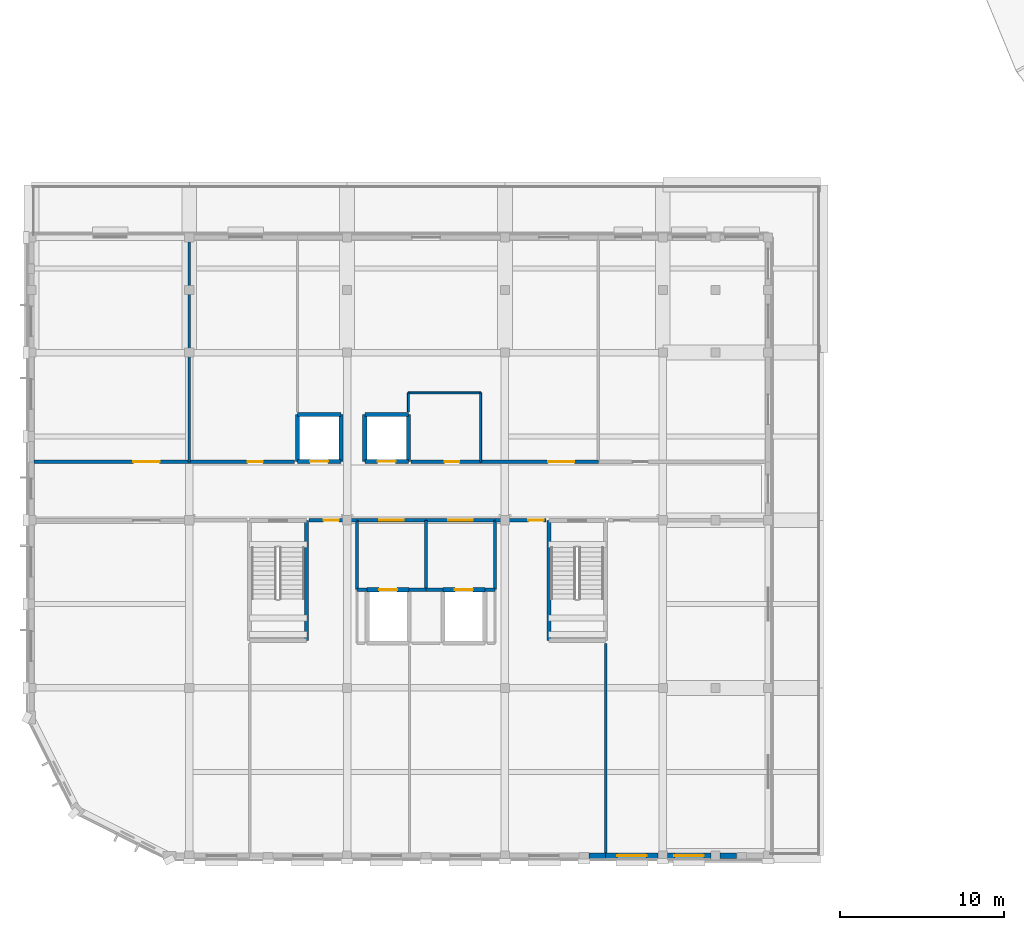
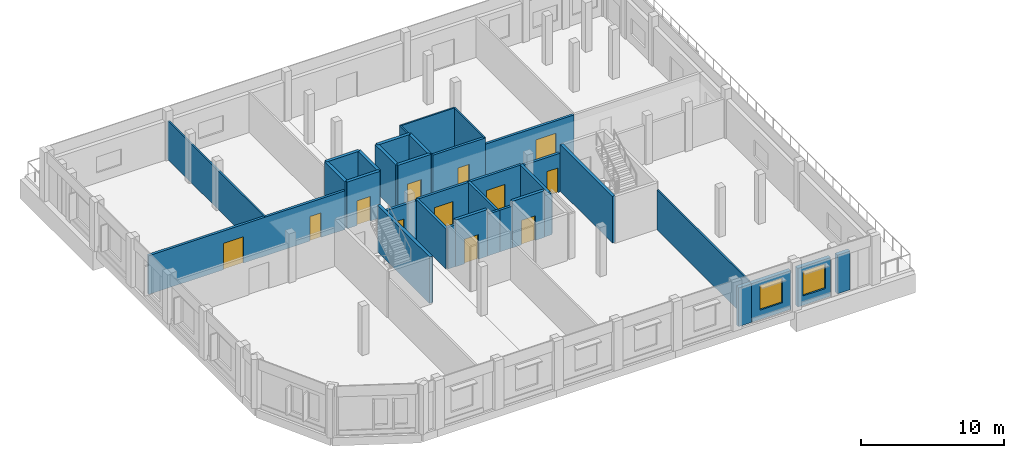
# One storey, part 60 of 70: 35 walls, 12 doors, 2 windows, 14 openings.
"""IFC4 building model written with IfcOpenShell, lengths in metres."""

from ifc_helpers import new_model, si_unit, direction, frame, frame_2d, origin, place, context, subcontext, project, spatial, rectangle, extrude, material, layer, layer_set, type_object, element, fill, save


model = new_model("IFC4")

# Units and contexts
model_context = context("Model", 3, precision=1e-05, world=origin(), true_north=direction((0.0, 1.0)))
body_context = subcontext(model_context, "Body", "Model", "MODEL_VIEW")
ifc_project = project(units=[si_unit("LENGTHUNIT", "METRE"), si_unit("AREAUNIT", "SQUARE_METRE"), si_unit("VOLUMEUNIT", "CUBIC_METRE"), si_unit("PLANEANGLEUNIT", "RADIAN"), si_unit("MASSUNIT", "GRAM", prefix="KILO")], contexts=[model_context])

# Site, building, storey
site_placement = place(None, origin())
site = spatial("IfcSite", under=ifc_project, at=site_placement, CompositionType="ELEMENT")
building_placement = place(site_placement, origin())
building = spatial("IfcBuilding", under=site, at=building_placement, Name="Vondelvale Polytechnic", CompositionType="ELEMENT")
storey_placement = place(building_placement, frame((0.0, 0.0, 22.199951171875)))
storey = spatial("IfcBuildingStorey", under=building, at=storey_placement, Name="L05", CompositionType="ELEMENT", Elevation=22.199951171875)

# Wall
ifc_material_1 = material(Name="Amsterdam School iron-spot clinker clay brickwork", Category="masonry")
ifc_layer_1 = layer(ifc_material_1, 0.320068359375)
ifc_layer_set_1 = layer_set([ifc_layer_1], Name="WL-BRICK-320")
wall_type_1 = type_object("IfcWallType", Name="WL-BRICK-320", PredefinedType="SOLIDWALL", material=ifc_layer_set_1)
wall_1_placement = place(storey_placement, frame((34.925048828125, 0.0, 0.0), z_axis=(0.0, 0.0, 1.0), x_axis=(-1.0, 0.0, 0.0)))
element("IfcWall", 1, at=wall_1_placement, inside=storey, type_object=wall_type_1, Name="L05 exterior masonry facade wall", PredefinedType="SOLIDWALL", context=body_context, shape_type="SweptSolid", body=[
    extrude(rectangle(XDim=1.024169921875, YDim=0.320068359375, at=frame_2d((0.51220703125, 0.0))), origin(), (0.0, 0.0, 1.0), 3.300048828125),
])

# Wall, opening, window
wall_2_placement = place(storey_placement, frame((38.1240234375, 0.0, 0.0), z_axis=(0.0, 0.0, 1.0), x_axis=(-1.0, 0.0, 0.0)))
wall_2 = element("IfcWall", 2, at=wall_2_placement, inside=storey, type_object=wall_type_1, Name="L05 exterior masonry facade wall", PredefinedType="SOLIDWALL", context=body_context, shape_type="SweptSolid", body=[
    extrude(rectangle(XDim=3.198974609375, YDim=0.320068359375, at=frame_2d((1.599609375, 0.0))), origin(), (0.0, 0.0, 1.0), 3.300048828125),
])
opening_1_placement = place(wall_2_placement, frame((0.699462890625, 0.0, 0.800048828125)))
opening_1 = element("IfcOpeningElement", 3, at=opening_1_placement, cuts=wall_2, Name="Opening WN-0261", PredefinedType="OPENING", context=body_context, shape_type="SweptSolid", body=[
    extrude(rectangle(XDim=1.800048828125, YDim=2.10009765625, at=frame_2d((0.89990234375, 1.050048828125))), frame((0.0, 0.169921875, 0.0), z_axis=(0.0, -1.0, 0.0), x_axis=(1.0, 0.0, 0.0)), (0.0, 0.0, 1.0), 0.340087890625),
])
ifc_material_2 = material(Name="Double-glazed low-E insulated architectural glass", Category="glass")
window_type = type_object("IfcWindowType", Name="WN-LAB-1800x2100", PartitioningType="SINGLE_PANEL", PredefinedType="WINDOW", material=ifc_material_2)
window_1_placement = place(opening_1_placement, origin())
window_1 = element("IfcWindow", 4, at=window_1_placement, inside=storey, type_object=window_type, Name="L05 double-glazed architectural window WN-0261", OverallHeight=2.10009765625, OverallWidth=1.800048828125, PartitioningType="SINGLE_PANEL", PredefinedType="WINDOW", context=body_context, shape_type="SweptSolid", body=[
    extrude(rectangle(XDim=1.800048828125, YDim=2.10009765625, at=frame_2d((0.89990234375, 1.050048828125))), frame((0.0, 0.030029296875, 0.0), z_axis=(0.0, -1.0, 0.0), x_axis=(1.0, 0.0, 0.0)), (0.0, 0.0, 1.0), 0.06005859375),
])
fill(opening_1, window_1)

# Wall
wall_3_placement = place(storey_placement, frame((42.89892578125, 0.0, 0.0), z_axis=(0.0, 0.0, 1.0), x_axis=(-1.0, 0.0, 0.0)))
element("IfcWall", 5, at=wall_3_placement, inside=storey, type_object=wall_type_1, Name="L05 exterior masonry facade wall", PredefinedType="SOLIDWALL", context=body_context, shape_type="SweptSolid", body=[
    extrude(rectangle(XDim=1.02294921875, YDim=0.320068359375, at=frame_2d((0.511474609375, 0.0))), origin(), (0.0, 0.0, 1.0), 3.300048828125),
])

# Wall, opening, window
wall_4_placement = place(storey_placement, frame((41.323974609375, 0.0, 0.0), z_axis=(0.0, 0.0, 1.0), x_axis=(-1.0, 0.0, 0.0)))
wall_4 = element("IfcWall", 6, at=wall_4_placement, inside=storey, type_object=wall_type_1, Name="L05 exterior masonry facade wall", PredefinedType="SOLIDWALL", context=body_context, shape_type="SweptSolid", body=[
    extrude(rectangle(XDim=2.64794921875, YDim=0.320068359375, at=frame_2d((1.323974609375, 0.0))), origin(), (0.0, 0.0, 1.0), 3.300048828125),
])
opening_2_placement = place(wall_4_placement, frame((0.424072265625, 0.0, 0.800048828125)))
opening_2 = element("IfcOpeningElement", 7, at=opening_2_placement, cuts=wall_4, Name="Opening WN-0262", PredefinedType="OPENING", context=body_context, shape_type="SweptSolid", body=[
    extrude(rectangle(XDim=1.800048828125, YDim=2.10009765625, at=frame_2d((0.89990234375, 1.050048828125))), frame((0.0, 0.169921875, 0.0), z_axis=(0.0, -1.0, 0.0), x_axis=(1.0, 0.0, 0.0)), (0.0, 0.0, 1.0), 0.340087890625),
])
window_2_placement = place(opening_2_placement, origin())
window_2 = element("IfcWindow", 8, at=window_2_placement, inside=storey, type_object=window_type, Name="L05 double-glazed architectural window WN-0262", OverallHeight=2.10009765625, OverallWidth=1.800048828125, PartitioningType="SINGLE_PANEL", PredefinedType="WINDOW", context=body_context, shape_type="SweptSolid", body=[
    extrude(rectangle(XDim=1.800048828125, YDim=2.10009765625, at=frame_2d((0.89990234375, 1.050048828125))), frame((0.0, 0.030029296875, 0.0), z_axis=(0.0, -1.0, 0.0), x_axis=(1.0, 0.0, 0.0)), (0.0, 0.0, 1.0), 0.06005859375),
])
fill(opening_2, window_2)

# Walls
ifc_material_3 = material(Name="Concrete N40 (f'c = 40 MPa)", Category="concrete")
ifc_layer_2 = layer(ifc_material_3, 0.25)
ifc_layer_set_2 = layer_set([ifc_layer_2], Name="WL-CORE-250")
wall_type_2 = type_object("IfcWallType", Name="WL-CORE-250", PredefinedType="SOLIDWALL", material=ifc_layer_set_2)
for number, where, z_axis, x_axis, name in (
    (9, (16.72509765625, 13.074951171875, 0.0), (0.0, 0.0, 1.0), (0.0, 1.0, 0.0), "L05 ST-03 reinforced concrete stair core wall"),
    (10, (31.47509765625, 20.375, 0.0), (0.0, 0.0, 1.0), (0.0, -1.0, 0.0), "L05 ST-04 reinforced concrete stair core wall"),
):
    element("IfcWall", number, at=place(storey_placement, frame(where, z_axis=z_axis, x_axis=x_axis)), inside=storey, type_object=wall_type_2, Name=name, PredefinedType="SOLIDWALL", context=body_context, shape_type="SweptSolid", body=[
        extrude(rectangle(XDim=7.300048828125, YDim=0.25, at=frame_2d((3.64990234375, 0.0))), origin(), (0.0, 0.0, 1.0), 3.97509765625),
    ])

# Wall, opening, door
ifc_material_4 = material(Name="Fire-rated double-layer plasterboard stud partition")
ifc_layer_3 = layer(ifc_material_4, 0.199951171875)
ifc_layer_set_3 = layer_set([ifc_layer_3], Name="WL-CORR-200")
wall_type_3 = type_object("IfcWallType", Name="WL-CORR-200", PredefinedType="PARTITIONING", material=ifc_layer_set_3)
wall_5_placement = place(storey_placement, frame((19.800048828125, 20.39990234375, 0.0), z_axis=(0.0, 0.0, 1.0), x_axis=(1.0, 0.0, 0.0)))
wall_5 = element("IfcWall", 11, at=wall_5_placement, inside=storey, type_object=wall_type_3, Name="L05 EL-01 fire-isolated lift lobby wall", PredefinedType="PARTITIONING", context=body_context, shape_type="SweptSolid", body=[
    extrude(rectangle(XDim=4.199951171875, YDim=0.199951171875, at=frame_2d((2.10009765625, 0.0))), origin(), (0.0, 0.0, 1.0), 3.405029296875),
])
opening_3_placement = place(wall_5_placement, frame((1.35009765625, 0.0, 0.0)))
opening_3 = element("IfcOpeningElement", 12, at=opening_3_placement, cuts=wall_5, Name="Opening LBD-062", PredefinedType="OPENING", context=body_context, shape_type="SweptSolid", body=[
    extrude(rectangle(XDim=1.5, YDim=2.199951171875, at=frame_2d((0.75, 1.10009765625))), frame((0.0, 0.10986328125, 0.0), z_axis=(0.0, -1.0, 0.0), x_axis=(1.0, 0.0, 0.0)), (0.0, 0.0, 1.0), 0.219970703125),
])
ifc_material_5 = material(Name="Engineered Tasmanian oak studio and bridge joinery")
door_type_1 = type_object("IfcDoorType", Name="DR-LOBBY-1500x2200", OperationType="DOUBLE_DOOR_SINGLE_SWING", PredefinedType="DOOR", material=ifc_material_5)
door_1_placement = place(opening_3_placement, origin())
door_1 = element("IfcDoor", 13, at=door_1_placement, inside=storey, type_object=door_type_1, Name="L05 EL-01 firefighting lobby smoke door", OperationType="SINGLE_SWING_LEFT", OverallHeight=2.199951171875, OverallWidth=1.5, PredefinedType="DOOR", context=body_context, shape_type="SweptSolid", body=[
    extrude(rectangle(XDim=1.5, YDim=2.199951171875, at=frame_2d((0.75, 1.10009765625))), frame((0.0, 0.02490234375, 0.0), z_axis=(0.0, -1.0, 0.0), x_axis=(1.0, 0.0, 0.0)), (0.0, 0.0, 1.0), 0.050048828125),
])
fill(opening_3, door_1)

# Walls
for number, where, z_axis, x_axis, name in (
    (14, (19.800048828125, 16.175048828125, 0.0), (0.0, 0.0, 1.0), (0.0, 1.0, 0.0), "L05 EL-01 fire-isolated lift lobby wall"),
    (15, (24.0, 16.175048828125, 0.0), (0.0, 0.0, 1.0), (0.0, 1.0, 0.0), "L05 EL-01 fire-isolated lift lobby wall"),
):
    element("IfcWall", number, at=place(storey_placement, frame(where, z_axis=z_axis, x_axis=x_axis)), inside=storey, type_object=wall_type_3, Name=name, PredefinedType="PARTITIONING", context=body_context, shape_type="SweptSolid", body=[
        extrude(rectangle(XDim=4.224853515625, YDim=0.199951171875, at=frame_2d((2.1123046875, 0.0))), origin(), (0.0, 0.0, 1.0), 3.405029296875),
    ])
wall_6_placement = place(storey_placement, frame((19.800048828125, 16.175048828125, 0.0), z_axis=(0.0, 0.0, 1.0), x_axis=(1.0, 0.0, 0.0)))
element("IfcWall", 16, at=wall_6_placement, inside=storey, type_object=wall_type_3, Name="L05 EL-01 fire-isolated lift lobby wall", PredefinedType="PARTITIONING", context=body_context, shape_type="SweptSolid", body=[
    extrude(rectangle(XDim=0.625, YDim=0.199951171875, at=frame_2d((0.3125, 0.0))), origin(), (0.0, 0.0, 1.0), 3.550048828125),
])
wall_7_placement = place(storey_placement, frame((22.97509765625, 16.175048828125, 0.0), z_axis=(0.0, 0.0, 1.0), x_axis=(1.0, 0.0, 0.0)))
element("IfcWall", 17, at=wall_7_placement, inside=storey, type_object=wall_type_3, Name="L05 EL-01 fire-isolated lift lobby wall", PredefinedType="PARTITIONING", context=body_context, shape_type="SweptSolid", body=[
    extrude(rectangle(XDim=1.02490234375, YDim=0.199951171875, at=frame_2d((0.512451171875, 0.0))), origin(), (0.0, 0.0, 1.0), 3.550048828125),
])

# Wall, opening, door
wall_8_placement = place(storey_placement, frame((24.0, 20.39990234375, 0.0), z_axis=(0.0, 0.0, 1.0), x_axis=(1.0, 0.0, 0.0)))
wall_8 = element("IfcWall", 18, at=wall_8_placement, inside=storey, type_object=wall_type_3, Name="L05 EL-02 fire-isolated lift lobby wall", PredefinedType="PARTITIONING", context=body_context, shape_type="SweptSolid", body=[
    extrude(rectangle(XDim=4.199951171875, YDim=0.199951171875, at=frame_2d((2.10009765625, 0.0))), origin(), (0.0, 0.0, 1.0), 3.405029296875),
])
opening_4_placement = place(wall_8_placement, frame((1.35009765625, 0.0, 0.0)))
opening_4 = element("IfcOpeningElement", 19, at=opening_4_placement, cuts=wall_8, Name="Opening LBD-071", PredefinedType="OPENING", context=body_context, shape_type="SweptSolid", body=[
    extrude(rectangle(XDim=1.5, YDim=2.199951171875, at=frame_2d((0.75, 1.10009765625))), frame((0.0, 0.10986328125, 0.0), z_axis=(0.0, -1.0, 0.0), x_axis=(1.0, 0.0, 0.0)), (0.0, 0.0, 1.0), 0.219970703125),
])
door_2_placement = place(opening_4_placement, origin())
door_2 = element("IfcDoor", 20, at=door_2_placement, inside=storey, type_object=door_type_1, Name="L05 EL-02 firefighting lobby smoke door", OperationType="SINGLE_SWING_LEFT", OverallHeight=2.199951171875, OverallWidth=1.5, PredefinedType="DOOR", context=body_context, shape_type="SweptSolid", body=[
    extrude(rectangle(XDim=1.5, YDim=2.199951171875, at=frame_2d((0.75, 1.10009765625))), frame((0.0, 0.02490234375, 0.0), z_axis=(0.0, -1.0, 0.0), x_axis=(1.0, 0.0, 0.0)), (0.0, 0.0, 1.0), 0.050048828125),
])
fill(opening_4, door_2)

# Walls
wall_9_placement = place(storey_placement, frame((28.199951171875, 16.175048828125, 0.0), z_axis=(0.0, 0.0, 1.0), x_axis=(0.0, 1.0, 0.0)))
element("IfcWall", 21, at=wall_9_placement, inside=storey, type_object=wall_type_3, Name="L05 EL-02 fire-isolated lift lobby wall", PredefinedType="PARTITIONING", context=body_context, shape_type="SweptSolid", body=[
    extrude(rectangle(XDim=4.224853515625, YDim=0.199951171875, at=frame_2d((2.1123046875, 0.0))), origin(), (0.0, 0.0, 1.0), 3.405029296875),
])
wall_10_placement = place(storey_placement, frame((24.0, 16.175048828125, 0.0), z_axis=(0.0, 0.0, 1.0), x_axis=(1.0, 0.0, 0.0)))
element("IfcWall", 22, at=wall_10_placement, inside=storey, type_object=wall_type_3, Name="L05 EL-02 fire-isolated lift lobby wall", PredefinedType="PARTITIONING", context=body_context, shape_type="SweptSolid", body=[
    extrude(rectangle(XDim=1.02490234375, YDim=0.199951171875, at=frame_2d((0.512451171875, 0.0))), origin(), (0.0, 0.0, 1.0), 3.550048828125),
])
wall_11_placement = place(storey_placement, frame((27.574951171875, 16.175048828125, 0.0), z_axis=(0.0, 0.0, 1.0), x_axis=(1.0, 0.0, 0.0)))
element("IfcWall", 23, at=wall_11_placement, inside=storey, type_object=wall_type_3, Name="L05 EL-02 fire-isolated lift lobby wall", PredefinedType="PARTITIONING", context=body_context, shape_type="SweptSolid", body=[
    extrude(rectangle(XDim=0.625, YDim=0.199951171875, at=frame_2d((0.3125, 0.0))), origin(), (0.0, 0.0, 1.0), 3.550048828125),
])

# Wall, opening, door
wall_12_placement = place(storey_placement, frame((16.889892578125, 20.39990234375, 0.0), z_axis=(0.0, 0.0, 1.0), x_axis=(1.0, 0.0, 0.0)))
wall_12 = element("IfcWall", 24, at=wall_12_placement, inside=storey, type_object=wall_type_3, Name="L05 interior acoustic partition", PredefinedType="PARTITIONING", context=body_context, shape_type="SweptSolid", body=[
    extrude(rectangle(XDim=2.91015625, YDim=0.199951171875, at=frame_2d((1.455078125, 0.0))), origin(), (0.0, 0.0, 1.0), 3.304931640625),
])
opening_5_placement = place(wall_12_placement, frame((0.885009765625, 0.0, 0.0)))
opening_5 = element("IfcOpeningElement", 25, at=opening_5_placement, cuts=wall_12, Name="Opening ID-0187", PredefinedType="OPENING", context=body_context, shape_type="SweptSolid", body=[
    extrude(rectangle(XDim=0.919921875, YDim=2.10009765625, at=frame_2d((0.4599609375, 1.050048828125))), frame((0.0, 0.10986328125, 0.0), z_axis=(0.0, -1.0, 0.0), x_axis=(1.0, 0.0, 0.0)), (0.0, 0.0, 1.0), 0.219970703125),
])
ifc_material_6 = material(Name="Fire-rated solid Tasmanian oak joinery")
door_type_2 = type_object("IfcDoorType", Name="DR-INT-0920x2100", OperationType="SINGLE_SWING_LEFT", PredefinedType="DOOR", material=ifc_material_6)
door_3_placement = place(opening_5_placement, origin())
door_3 = element("IfcDoor", 26, at=door_3_placement, inside=storey, type_object=door_type_2, Name="L05 interior room door ID-0187", OperationType="SINGLE_SWING_LEFT", OverallHeight=2.10009765625, OverallWidth=0.919921875, PredefinedType="DOOR", context=body_context, shape_type="SweptSolid", body=[
    extrude(rectangle(XDim=0.919921875, YDim=2.10009765625, at=frame_2d((0.4599609375, 1.050048828125))), frame((0.0, 0.02490234375, 0.0), z_axis=(0.0, -1.0, 0.0), x_axis=(1.0, 0.0, 0.0)), (0.0, 0.0, 1.0), 0.050048828125),
])
fill(opening_5, door_3)

wall_13_placement = place(storey_placement, frame((28.199951171875, 20.39990234375, 0.0), z_axis=(0.0, 0.0, 1.0), x_axis=(1.0, 0.0, 0.0)))
wall_13 = element("IfcWall", 27, at=wall_13_placement, inside=storey, type_object=wall_type_3, Name="L05 interior acoustic partition", PredefinedType="PARTITIONING", context=body_context, shape_type="SweptSolid", body=[
    extrude(rectangle(XDim=3.110107421875, YDim=0.199951171875, at=frame_2d((1.55517578125, 0.0))), origin(), (0.0, 0.0, 1.0), 3.304931640625),
])
opening_6_placement = place(wall_13_placement, frame((2.030029296875, 0.0, 0.0)))
opening_6 = element("IfcOpeningElement", 28, at=opening_6_placement, cuts=wall_13, Name="Opening ID-0188", PredefinedType="OPENING", context=body_context, shape_type="SweptSolid", body=[
    extrude(rectangle(XDim=0.919921875, YDim=2.10009765625, at=frame_2d((0.4599609375, 1.050048828125))), frame((0.0, 0.10986328125, 0.0), z_axis=(0.0, -1.0, 0.0), x_axis=(1.0, 0.0, 0.0)), (0.0, 0.0, 1.0), 0.219970703125),
])
door_4_placement = place(opening_6_placement, origin())
door_4 = element("IfcDoor", 29, at=door_4_placement, inside=storey, type_object=door_type_2, Name="L05 interior room door ID-0188", OperationType="SINGLE_SWING_RIGHT", OverallHeight=2.10009765625, OverallWidth=0.919921875, PredefinedType="DOOR", context=body_context, shape_type="SweptSolid", body=[
    extrude(rectangle(XDim=0.919921875, YDim=2.10009765625, at=frame_2d((0.4599609375, 1.050048828125))), frame((0.0, 0.02490234375, 0.0), z_axis=(0.0, -1.0, 0.0), x_axis=(1.0, 0.0, 0.0)), (0.0, 0.0, 1.0), 0.050048828125),
])
fill(opening_6, door_4)

wall_14_placement = place(storey_placement, frame((23.090087890625, 23.949951171875, 0.0), z_axis=(0.0, 0.0, 1.0), x_axis=(1.0, 0.0, 0.0)))
wall_14 = element("IfcWall", 30, at=wall_14_placement, inside=storey, type_object=wall_type_3, Name="L05 interior acoustic partition", PredefinedType="PARTITIONING", context=body_context, shape_type="SweptSolid", body=[
    extrude(rectangle(XDim=4.23486328125, YDim=0.199951171875, at=frame_2d((2.117431640625, 0.0))), origin(), (0.0, 0.0, 1.0), 3.85009765625),
])
opening_7_placement = place(wall_14_placement, frame((2.034912109375, 0.0, 0.0)))
opening_7 = element("IfcOpeningElement", 31, at=opening_7_placement, cuts=wall_14, Name="Opening ID-0190", PredefinedType="OPENING", context=body_context, shape_type="SweptSolid", body=[
    extrude(rectangle(XDim=0.89990234375, YDim=2.050048828125, at=frame_2d((0.449951171875, 1.02490234375))), frame((0.0, 0.10986328125, 0.0), z_axis=(0.0, -1.0, 0.0), x_axis=(1.0, 0.0, 0.0)), (0.0, 0.0, 1.0), 0.219970703125),
])
door_type_3 = type_object("IfcDoorType", Name="DR-WC-0900x2050", OperationType="SINGLE_SWING_RIGHT", PredefinedType="DOOR", material=ifc_material_6)
door_5_placement = place(opening_7_placement, origin())
door_5 = element("IfcDoor", 32, at=door_5_placement, inside=storey, type_object=door_type_3, Name="L05 interior room door ID-0190", OperationType="SINGLE_SWING_RIGHT", OverallHeight=2.050048828125, OverallWidth=0.89990234375, PredefinedType="DOOR", context=body_context, shape_type="SweptSolid", body=[
    extrude(rectangle(XDim=0.89990234375, YDim=2.050048828125, at=frame_2d((0.449951171875, 1.02490234375))), frame((0.0, 0.02490234375, 0.0), z_axis=(0.0, -1.0, 0.0), x_axis=(1.0, 0.0, 0.0)), (0.0, 0.0, 1.0), 0.050048828125),
])
fill(opening_7, door_5)

# Wall, openings, doors
wall_15_placement = place(storey_placement, frame((0.14990234375, 23.949951171875, 0.0), z_axis=(0.0, 0.0, 1.0), x_axis=(1.0, 0.0, 0.0)))
wall_15 = element("IfcWall", 33, at=wall_15_placement, inside=storey, type_object=wall_type_3, Name="L05 interior acoustic partition", PredefinedType="PARTITIONING", context=body_context, shape_type="SweptSolid", body=[
    extrude(rectangle(XDim=15.860107421875, YDim=0.199951171875, at=frame_2d((7.93017578125, 0.0))), origin(), (0.0, 0.0, 1.0), 3.304931640625),
])
opening_8_placement = place(wall_15_placement, frame((6.050048828125, 0.0, 0.0)))
opening_8 = element("IfcOpeningElement", 34, at=opening_8_placement, cuts=wall_15, Name="Opening ID-0191", PredefinedType="OPENING", context=body_context, shape_type="SweptSolid", body=[
    extrude(rectangle(XDim=1.60009765625, YDim=2.25, at=frame_2d((0.800048828125, 1.125))), frame((0.0, 0.10986328125, 0.0), z_axis=(0.0, -1.0, 0.0), x_axis=(1.0, 0.0, 0.0)), (0.0, 0.0, 1.0), 0.219970703125),
])
opening_9_placement = place(wall_15_placement, frame((13.0, 0.0, 0.0)))
opening_9 = element("IfcOpeningElement", 35, at=opening_9_placement, cuts=wall_15, Name="Opening ID-0192", PredefinedType="OPENING", context=body_context, shape_type="SweptSolid", body=[
    extrude(rectangle(XDim=0.919921875, YDim=2.10009765625, at=frame_2d((0.4599609375, 1.050048828125))), frame((0.0, 0.10986328125, 0.0), z_axis=(0.0, -1.0, 0.0), x_axis=(1.0, 0.0, 0.0)), (0.0, 0.0, 1.0), 0.219970703125),
])
door_6_placement = place(opening_9_placement, origin())
door_6 = element("IfcDoor", 36, at=door_6_placement, inside=storey, type_object=door_type_2, Name="L05 interior room door ID-0192", OperationType="SINGLE_SWING_RIGHT", OverallHeight=2.10009765625, OverallWidth=0.919921875, PredefinedType="DOOR", context=body_context, shape_type="SweptSolid", body=[
    extrude(rectangle(XDim=0.919921875, YDim=2.10009765625, at=frame_2d((0.4599609375, 1.050048828125))), frame((0.0, 0.02490234375, 0.0), z_axis=(0.0, -1.0, 0.0), x_axis=(1.0, 0.0, 0.0)), (0.0, 0.0, 1.0), 0.050048828125),
])
fill(opening_9, door_6)
door_type_4 = type_object("IfcDoorType", Name="DR-LAB-1600x2250", OperationType="DOUBLE_DOOR_SINGLE_SWING", PredefinedType="DOOR", material=ifc_material_6)
door_7_placement = place(opening_8_placement, origin())
door_7 = element("IfcDoor", 37, at=door_7_placement, inside=storey, type_object=door_type_4, Name="L05 interior room door ID-0191", OperationType="DOUBLE_DOOR_SINGLE_SWING", OverallHeight=2.25, OverallWidth=1.60009765625, PredefinedType="DOOR", context=body_context, shape_type="SweptSolid", body=[
    extrude(rectangle(XDim=1.60009765625, YDim=2.25, at=frame_2d((0.800048828125, 1.125))), frame((0.0, 0.02490234375, 0.0), z_axis=(0.0, -1.0, 0.0), x_axis=(1.0, 0.0, 0.0)), (0.0, 0.0, 1.0), 0.050048828125),
])
fill(opening_8, door_7)

# Wall, opening, door
wall_16_placement = place(storey_placement, frame((27.324951171875, 23.949951171875, 0.0), z_axis=(0.0, 0.0, 1.0), x_axis=(1.0, 0.0, 0.0)))
wall_16 = element("IfcWall", 38, at=wall_16_placement, inside=storey, type_object=wall_type_3, Name="L05 interior acoustic partition", PredefinedType="PARTITIONING", context=body_context, shape_type="SweptSolid", body=[
    extrude(rectangle(XDim=7.150146484375, YDim=0.199951171875, at=frame_2d((3.5751953125, 0.0))), origin(), (0.0, 0.0, 1.0), 3.304931640625),
])
opening_10_placement = place(wall_16_placement, frame((4.10009765625, 0.0, 0.0)))
opening_10 = element("IfcOpeningElement", 39, at=opening_10_placement, cuts=wall_16, Name="Opening ID-0193", PredefinedType="OPENING", context=body_context, shape_type="SweptSolid", body=[
    extrude(rectangle(XDim=1.60009765625, YDim=2.25, at=frame_2d((0.800048828125, 1.125))), frame((0.0, 0.10986328125, 0.0), z_axis=(0.0, -1.0, 0.0), x_axis=(1.0, 0.0, 0.0)), (0.0, 0.0, 1.0), 0.219970703125),
])
door_8_placement = place(opening_10_placement, origin())
door_8 = element("IfcDoor", 40, at=door_8_placement, inside=storey, type_object=door_type_4, Name="L05 interior room door ID-0193", OperationType="DOUBLE_DOOR_SINGLE_SWING", OverallHeight=2.25, OverallWidth=1.60009765625, PredefinedType="DOOR", context=body_context, shape_type="SweptSolid", body=[
    extrude(rectangle(XDim=1.60009765625, YDim=2.25, at=frame_2d((0.800048828125, 1.125))), frame((0.0, 0.02490234375, 0.0), z_axis=(0.0, -1.0, 0.0), x_axis=(1.0, 0.0, 0.0)), (0.0, 0.0, 1.0), 0.050048828125),
])
fill(opening_10, door_8)

# Walls
ifc_layer_4 = layer(ifc_material_4, 0.1201171875)
ifc_layer_set_4 = layer_set([ifc_layer_4], Name="WL-INT-120")
wall_type_4 = type_object("IfcWallType", Name="WL-INT-120", PredefinedType="PARTITIONING", material=ifc_layer_set_4)
wall_17_placement = place(storey_placement, frame((22.925048828125, 26.989990234375, 0.0), z_axis=(0.0, 0.0, 1.0), x_axis=(0.0, 1.0, 0.0)))
element("IfcWall", 41, at=wall_17_placement, inside=storey, type_object=wall_type_4, Name="L05 interior acoustic partition", PredefinedType="PARTITIONING", context=body_context, shape_type="SweptSolid", body=[
    extrude(rectangle(XDim=1.159912109375, YDim=0.1201171875, at=frame_2d((0.580078125, 0.0))), origin(), (0.0, 0.0, 1.0), 3.85009765625),
])
wall_18_placement = place(storey_placement, frame((22.925048828125, 28.14990234375, 0.0), z_axis=(0.0, 0.0, 1.0), x_axis=(1.0, 0.0, 0.0)))
element("IfcWall", 42, at=wall_18_placement, inside=storey, type_object=wall_type_4, Name="L05 interior acoustic partition", PredefinedType="PARTITIONING", context=body_context, shape_type="SweptSolid", body=[
    extrude(rectangle(XDim=4.39990234375, YDim=0.1201171875, at=frame_2d((2.199951171875, 0.0))), origin(), (0.0, 0.0, 1.0), 3.85009765625),
])
wall_19_placement = place(storey_placement, frame((27.324951171875, 23.949951171875, 0.0), z_axis=(0.0, 0.0, 1.0), x_axis=(0.0, 1.0, 0.0)))
element("IfcWall", 43, at=wall_19_placement, inside=storey, type_object=wall_type_4, Name="L05 interior acoustic partition", PredefinedType="PARTITIONING", context=body_context, shape_type="SweptSolid", body=[
    extrude(rectangle(XDim=4.199951171875, YDim=0.1201171875, at=frame_2d((2.10009765625, 0.0))), origin(), (0.0, 0.0, 1.0), 3.85009765625),
])
ifc_layer_5 = layer(ifc_material_4, 0.135009765625)
ifc_layer_set_5 = layer_set([ifc_layer_5], Name="WL-INT-135")
wall_type_5 = type_object("IfcWallType", Name="WL-INT-135", PredefinedType="PARTITIONING", material=ifc_layer_set_5)
wall_20_placement = place(storey_placement, frame((34.925048828125, 0.14990234375, 0.0), z_axis=(0.0, 0.0, 1.0), x_axis=(0.0, 1.0, 0.0)))
element("IfcWall", 44, at=wall_20_placement, inside=storey, type_object=wall_type_5, Name="L05 interior acoustic partition", PredefinedType="PARTITIONING", context=body_context, shape_type="SweptSolid", body=[
    extrude(rectangle(XDim=12.760009765625, YDim=0.135009765625, at=frame_2d((6.3798828125, 0.0))), origin(), (0.0, 0.0, 1.0), 3.405029296875),
])
wall_21_placement = place(storey_placement, frame((9.60009765625, 23.949951171875, 0.0), z_axis=(0.0, 0.0, 1.0), x_axis=(0.0, 1.0, 0.0)))
element("IfcWall", 45, at=wall_21_placement, inside=storey, type_object=wall_type_5, Name="L05 interior acoustic partition", PredefinedType="PARTITIONING", context=body_context, shape_type="SweptSolid", body=[
    extrude(rectangle(XDim=13.5, YDim=0.135009765625, at=frame_2d((6.75, 0.0))), origin(), (0.0, 0.0, 1.0), 3.304931640625),
])

# Wall, opening, door
ifc_layer_6 = layer(ifc_material_3, 0.25)
ifc_layer_set_6 = layer_set([ifc_layer_6], Name="WL-SHAFT-250")
wall_type_6 = type_object("IfcWallType", Name="WL-SHAFT-250", PredefinedType="SOLIDWALL", material=ifc_layer_set_6)
wall_22_placement = place(storey_placement, frame((22.97509765625, 16.175048828125, 0.0), z_axis=(0.0, 0.0, 1.0), x_axis=(-1.0, 0.0, 0.0)))
wall_22 = element("IfcWall", 46, at=wall_22_placement, inside=storey, type_object=wall_type_6, Name="L05 EL-01 lift shaft wall N", PredefinedType="SOLIDWALL", context=body_context, shape_type="SweptSolid", body=[
    extrude(rectangle(XDim=2.550048828125, YDim=0.25, at=frame_2d((1.27490234375, 0.0))), origin(), (0.0, 0.0, 1.0), 3.97509765625),
])
opening_11_placement = place(wall_22_placement, frame((0.72509765625, 0.0, 0.0)))
opening_11 = element("IfcOpeningElement", 47, at=opening_11_placement, cuts=wall_22, Name="Opening LD-007", PredefinedType="OPENING", context=body_context, shape_type="SweptSolid", body=[
    extrude(rectangle(XDim=1.10009765625, YDim=2.10009765625, at=frame_2d((0.550048828125, 1.050048828125))), frame((0.0, 0.135009765625, 0.0), z_axis=(0.0, -1.0, 0.0), x_axis=(1.0, 0.0, 0.0)), (0.0, 0.0, 1.0), 0.27001953125),
])
ifc_material_7 = material(Name="Brushed architectural stainless and zinc-coated metal")
door_type_5 = type_object("IfcDoorType", Name="DR-LIFT-1100x2100", OperationType="SLIDING_TO_LEFT", PredefinedType="DOOR", material=ifc_material_7)
door_9_placement = place(opening_11_placement, origin())
door_9 = element("IfcDoor", 48, at=door_9_placement, inside=storey, type_object=door_type_5, Name="L05 EL-01 sliding lift landing door", OperationType="SLIDING_TO_LEFT", OverallHeight=2.10009765625, OverallWidth=1.10009765625, PredefinedType="DOOR", context=body_context, shape_type="SweptSolid", body=[
    extrude(rectangle(XDim=1.10009765625, YDim=2.10009765625, at=frame_2d((0.550048828125, 1.050048828125))), frame((0.0, 0.02490234375, 0.0), z_axis=(0.0, -1.0, 0.0), x_axis=(1.0, 0.0, 0.0)), (0.0, 0.0, 1.0), 0.050048828125),
])
fill(opening_11, door_9)

wall_23_placement = place(storey_placement, frame((27.574951171875, 16.175048828125, 0.0), z_axis=(0.0, 0.0, 1.0), x_axis=(-1.0, 0.0, 0.0)))
wall_23 = element("IfcWall", 49, at=wall_23_placement, inside=storey, type_object=wall_type_6, Name="L05 EL-02 lift shaft wall N", PredefinedType="SOLIDWALL", context=body_context, shape_type="SweptSolid", body=[
    extrude(rectangle(XDim=2.550048828125, YDim=0.25, at=frame_2d((1.27490234375, 0.0))), origin(), (0.0, 0.0, 1.0), 3.97509765625),
])
opening_12_placement = place(wall_23_placement, frame((0.72509765625, 0.0, 0.0)))
opening_12 = element("IfcOpeningElement", 50, at=opening_12_placement, cuts=wall_23, Name="Opening LD-016", PredefinedType="OPENING", context=body_context, shape_type="SweptSolid", body=[
    extrude(rectangle(XDim=1.10009765625, YDim=2.10009765625, at=frame_2d((0.550048828125, 1.050048828125))), frame((0.0, 0.135009765625, 0.0), z_axis=(0.0, -1.0, 0.0), x_axis=(1.0, 0.0, 0.0)), (0.0, 0.0, 1.0), 0.27001953125),
])
door_10_placement = place(opening_12_placement, origin())
door_10 = element("IfcDoor", 51, at=door_10_placement, inside=storey, type_object=door_type_5, Name="L05 EL-02 sliding lift landing door", OperationType="SLIDING_TO_LEFT", OverallHeight=2.10009765625, OverallWidth=1.10009765625, PredefinedType="DOOR", context=body_context, shape_type="SweptSolid", body=[
    extrude(rectangle(XDim=1.10009765625, YDim=2.10009765625, at=frame_2d((0.550048828125, 1.050048828125))), frame((0.0, 0.02490234375, 0.0), z_axis=(0.0, -1.0, 0.0), x_axis=(1.0, 0.0, 0.0)), (0.0, 0.0, 1.0), 0.050048828125),
])
fill(opening_12, door_10)

wall_24_placement = place(storey_placement, frame((16.175048828125, 23.97509765625, 0.0), z_axis=(0.0, 0.0, 1.0), x_axis=(1.0, 0.0, 0.0)))
wall_24 = element("IfcWall", 52, at=wall_24_placement, inside=storey, type_object=wall_type_6, Name="L05 PL-01 lift shaft wall S", PredefinedType="SOLIDWALL", context=body_context, shape_type="SweptSolid", body=[
    extrude(rectangle(XDim=2.64990234375, YDim=0.25, at=frame_2d((1.324951171875, 0.0))), origin(), (0.0, 0.0, 1.0), 3.97509765625),
])
opening_13_placement = place(wall_24_placement, frame((0.77490234375, 0.0, 0.0)))
opening_13 = element("IfcOpeningElement", 53, at=opening_13_placement, cuts=wall_24, Name="Opening LD-025", PredefinedType="OPENING", context=body_context, shape_type="SweptSolid", body=[
    extrude(rectangle(XDim=1.10009765625, YDim=2.10009765625, at=frame_2d((0.550048828125, 1.050048828125))), frame((0.0, 0.135009765625, 0.0), z_axis=(0.0, -1.0, 0.0), x_axis=(1.0, 0.0, 0.0)), (0.0, 0.0, 1.0), 0.27001953125),
])
door_11_placement = place(opening_13_placement, origin())
door_11 = element("IfcDoor", 54, at=door_11_placement, inside=storey, type_object=door_type_5, Name="L05 PL-01 sliding lift landing door", OperationType="SLIDING_TO_LEFT", OverallHeight=2.10009765625, OverallWidth=1.10009765625, PredefinedType="DOOR", context=body_context, shape_type="SweptSolid", body=[
    extrude(rectangle(XDim=1.10009765625, YDim=2.10009765625, at=frame_2d((0.550048828125, 1.050048828125))), frame((0.0, 0.02490234375, 0.0), z_axis=(0.0, -1.0, 0.0), x_axis=(1.0, 0.0, 0.0)), (0.0, 0.0, 1.0), 0.050048828125),
])
fill(opening_13, door_11)

# Walls
wall_25_placement = place(storey_placement, frame((18.824951171875, 23.97509765625, 0.0), z_axis=(0.0, 0.0, 1.0), x_axis=(0.0, 1.0, 0.0)))
element("IfcWall", 55, at=wall_25_placement, inside=storey, type_object=wall_type_6, Name="L05 PL-01 lift shaft wall E", PredefinedType="SOLIDWALL", context=body_context, shape_type="SweptSolid", body=[
    extrude(rectangle(XDim=2.849853515625, YDim=0.25, at=frame_2d((1.4248046875, 0.0))), origin(), (0.0, 0.0, 1.0), 3.97509765625),
])
wall_26_placement = place(storey_placement, frame((18.824951171875, 26.824951171875, 0.0), z_axis=(0.0, 0.0, 1.0), x_axis=(-1.0, 0.0, 0.0)))
element("IfcWall", 56, at=wall_26_placement, inside=storey, type_object=wall_type_6, Name="L05 PL-01 lift shaft wall N", PredefinedType="SOLIDWALL", context=body_context, shape_type="SweptSolid", body=[
    extrude(rectangle(XDim=2.64990234375, YDim=0.25, at=frame_2d((1.324951171875, 0.0))), origin(), (0.0, 0.0, 1.0), 3.97509765625),
])
wall_27_placement = place(storey_placement, frame((16.175048828125, 26.824951171875, 0.0), z_axis=(0.0, 0.0, 1.0), x_axis=(0.0, -1.0, 0.0)))
element("IfcWall", 57, at=wall_27_placement, inside=storey, type_object=wall_type_6, Name="L05 PL-01 lift shaft wall W", PredefinedType="SOLIDWALL", context=body_context, shape_type="SweptSolid", body=[
    extrude(rectangle(XDim=2.849853515625, YDim=0.25, at=frame_2d((1.4248046875, 0.0))), origin(), (0.0, 0.0, 1.0), 3.97509765625),
])

# Wall, opening, door
wall_28_placement = place(storey_placement, frame((20.27490234375, 23.97509765625, 0.0), z_axis=(0.0, 0.0, 1.0), x_axis=(1.0, 0.0, 0.0)))
wall_28 = element("IfcWall", 58, at=wall_28_placement, inside=storey, type_object=wall_type_6, Name="L05 PL-02 lift shaft wall S", PredefinedType="SOLIDWALL", context=body_context, shape_type="SweptSolid", body=[
    extrude(rectangle(XDim=2.650146484375, YDim=0.25, at=frame_2d((1.3251953125, 0.0))), origin(), (0.0, 0.0, 1.0), 3.97509765625),
])
opening_14_placement = place(wall_28_placement, frame((0.77490234375, 0.0, 0.0)))
opening_14 = element("IfcOpeningElement", 59, at=opening_14_placement, cuts=wall_28, Name="Opening LD-034", PredefinedType="OPENING", context=body_context, shape_type="SweptSolid", body=[
    extrude(rectangle(XDim=1.10009765625, YDim=2.10009765625, at=frame_2d((0.550048828125, 1.050048828125))), frame((0.0, 0.135009765625, 0.0), z_axis=(0.0, -1.0, 0.0), x_axis=(1.0, 0.0, 0.0)), (0.0, 0.0, 1.0), 0.27001953125),
])
door_12_placement = place(opening_14_placement, origin())
door_12 = element("IfcDoor", 60, at=door_12_placement, inside=storey, type_object=door_type_5, Name="L05 PL-02 sliding lift landing door", OperationType="SLIDING_TO_LEFT", OverallHeight=2.10009765625, OverallWidth=1.10009765625, PredefinedType="DOOR", context=body_context, shape_type="SweptSolid", body=[
    extrude(rectangle(XDim=1.10009765625, YDim=2.10009765625, at=frame_2d((0.550048828125, 1.050048828125))), frame((0.0, 0.02490234375, 0.0), z_axis=(0.0, -1.0, 0.0), x_axis=(1.0, 0.0, 0.0)), (0.0, 0.0, 1.0), 0.050048828125),
])
fill(opening_14, door_12)

# Walls
wall_29_placement = place(storey_placement, frame((22.925048828125, 23.97509765625, 0.0), z_axis=(0.0, 0.0, 1.0), x_axis=(0.0, 1.0, 0.0)))
element("IfcWall", 61, at=wall_29_placement, inside=storey, type_object=wall_type_6, Name="L05 PL-02 lift shaft wall E", PredefinedType="SOLIDWALL", context=body_context, shape_type="SweptSolid", body=[
    extrude(rectangle(XDim=2.849853515625, YDim=0.25, at=frame_2d((1.4248046875, 0.0))), origin(), (0.0, 0.0, 1.0), 3.97509765625),
])
wall_30_placement = place(storey_placement, frame((22.925048828125, 26.824951171875, 0.0), z_axis=(0.0, 0.0, 1.0), x_axis=(-1.0, 0.0, 0.0)))
element("IfcWall", 62, at=wall_30_placement, inside=storey, type_object=wall_type_6, Name="L05 PL-02 lift shaft wall N", PredefinedType="SOLIDWALL", context=body_context, shape_type="SweptSolid", body=[
    extrude(rectangle(XDim=2.650146484375, YDim=0.25, at=frame_2d((1.3251953125, 0.0))), origin(), (0.0, 0.0, 1.0), 3.97509765625),
])
wall_31_placement = place(storey_placement, frame((20.27490234375, 26.824951171875, 0.0), z_axis=(0.0, 0.0, 1.0), x_axis=(0.0, -1.0, 0.0)))
element("IfcWall", 63, at=wall_31_placement, inside=storey, type_object=wall_type_6, Name="L05 PL-02 lift shaft wall W", PredefinedType="SOLIDWALL", context=body_context, shape_type="SweptSolid", body=[
    extrude(rectangle(XDim=2.849853515625, YDim=0.25, at=frame_2d((1.4248046875, 0.0))), origin(), (0.0, 0.0, 1.0), 3.97509765625),
])

save(model, "model.ifc")
